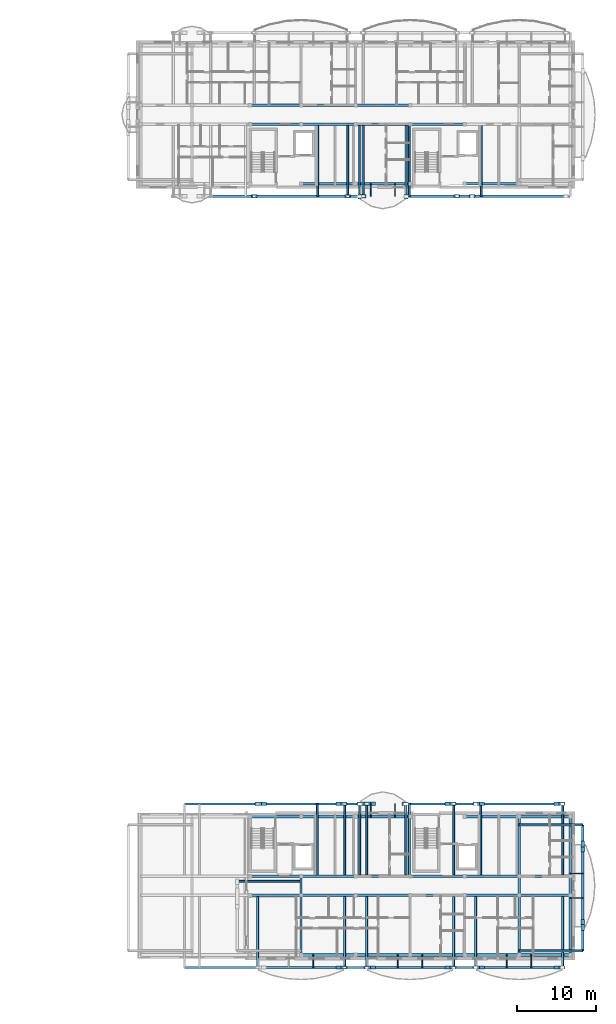
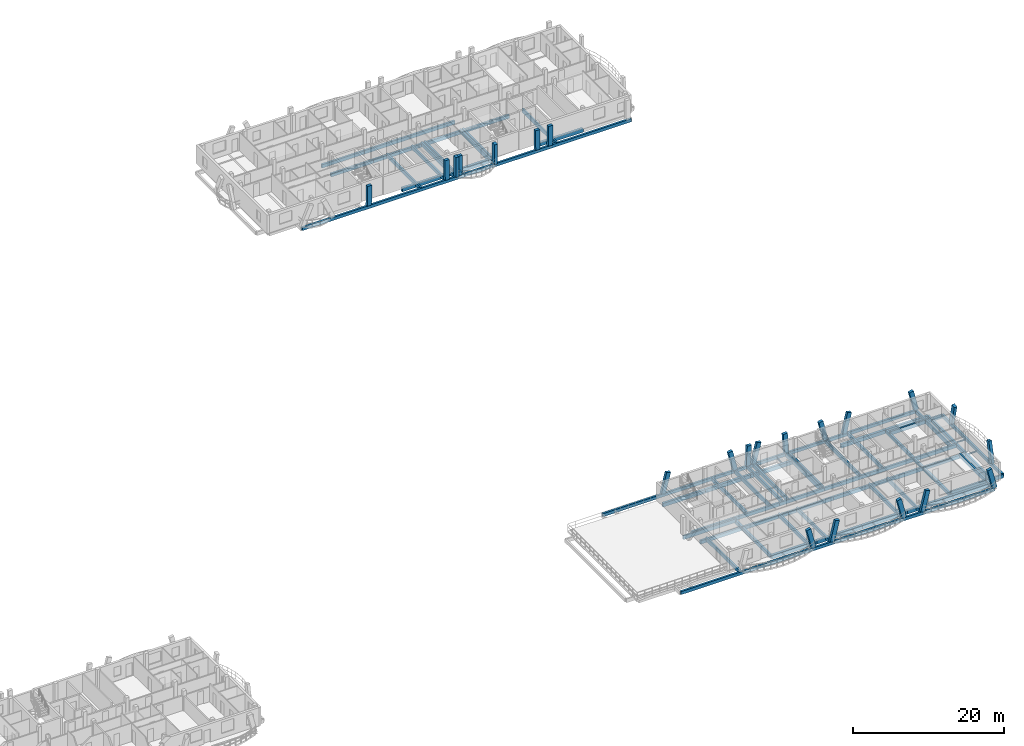
# One storey, part 6 of 48: 80 beams, 22 members.
"""IFC4 building model written with IfcOpenShell, lengths in metres."""

from ifc_helpers import new_model, si_unit, direction, frame, origin, origin_2d, place, context, subcontext, project, spatial, rectangle, i_section, extrude, material, material_profile, profile_set, type_object, element, save


model = new_model("IFC4")

# Units and contexts
model_context = context("Model", 3, precision=1e-05, world=origin(), true_north=direction((0.0, 1.0)))
body_context = subcontext(model_context, "Body", "Model", "MODEL_VIEW")
ifc_project = project(units=[si_unit("LENGTHUNIT", "METRE"), si_unit("AREAUNIT", "SQUARE_METRE"), si_unit("VOLUMEUNIT", "CUBIC_METRE"), si_unit("PLANEANGLEUNIT", "RADIAN"), si_unit("MASSUNIT", "GRAM", prefix="KILO")], contexts=[model_context])

# Site, building, storey
site_placement = place(None, origin())
site = spatial("IfcSite", under=ifc_project, at=site_placement, CompositionType="ELEMENT")
building_placement = place(site_placement, origin())
building = spatial("IfcBuilding", under=site, at=building_placement, Name="Zavelmont Quarter", CompositionType="ELEMENT")
storey_placement = place(building_placement, frame((0.0, 0.0, 17.60009765625)))
storey = spatial("IfcBuildingStorey", under=building, at=storey_placement, Name="L05", CompositionType="ELEMENT", Elevation=17.60009765625)

# Beams
ifc_material_1 = material(Name="Concrete C35/45", Category="concrete")
ifc_material_profile_1 = material_profile(ifc_material_1, rectangle(XDim=0.35009765625, YDim=0.60009765625, at=origin_2d()), Name="RC350X600")
ifc_profile_set_1 = profile_set([ifc_material_profile_1], Name="Concrete C35/45")
beam_type_1 = type_object("IfcBeamType", Name="BM01", PredefinedType="SPANDREL", material=ifc_profile_set_1)
beam_1_placement = place(storey_placement, frame((133.5, 98.0400390625, -0.56005859375), z_axis=(1.0, 0.0, 0.0), x_axis=(0.0, 1.0, 0.0)))
element("IfcBeam", 1, at=beam_1_placement, inside=storey, type_object=beam_type_1, Name="L05 beam BM01 20/P to 21/P", PredefinedType="SPANDREL", context=body_context, shape_type="SweptSolid", body=[
    extrude(rectangle(XDim=0.35009765625, YDim=0.60009765625, at=origin_2d()), origin(), (0.0, 0.0, 1.0), 6.89990234375),
])
for number, where, z_axis, x_axis, name in (
    (2, (140.39990234375, 98.0400390625, -0.56005859375), (1.0, 0.0, 0.0), (0.0, 1.0, 0.0), "L05 beam BM01 21/P to 22/P"),
    (3, (154.199951171875, 98.0400390625, -0.56005859375), (1.0, 0.0, 0.0), (0.0, 1.0, 0.0), "L05 beam BM01 23/P to 24/P"),
):
    element("IfcBeam", number, at=place(storey_placement, frame(where, z_axis=z_axis, x_axis=x_axis)), inside=storey, type_object=beam_type_1, Name=name, PredefinedType="SPANDREL", context=body_context, shape_type="SweptSolid", body=[
        extrude(rectangle(XDim=0.35009765625, YDim=0.60009765625, at=origin_2d()), origin(), (0.0, 0.0, 1.0), 6.900146484375),
    ])
beam_2_placement = place(storey_placement, frame((133.5, 0.43994140625, -0.56005859375), z_axis=(1.0, 0.0, 0.0), x_axis=(0.0, 1.0, 0.0)))
element("IfcBeam", 4, at=beam_2_placement, inside=storey, type_object=beam_type_1, Name="L05 beam BM01 20/A to 21/A", PredefinedType="SPANDREL", context=body_context, shape_type="SweptSolid", body=[
    extrude(rectangle(XDim=0.35009765625, YDim=0.60009765625, at=origin_2d()), origin(), (0.0, 0.0, 1.0), 6.89990234375),
])
beam_3_placement = place(storey_placement, frame((140.39990234375, 0.43994140625, -0.56005859375), z_axis=(1.0, 0.0, 0.0), x_axis=(0.0, 1.0, 0.0)))
element("IfcBeam", 5, at=beam_3_placement, inside=storey, type_object=beam_type_1, Name="L05 beam BM01 21/A to 22/A", PredefinedType="SPANDREL", context=body_context, shape_type="SweptSolid", body=[
    extrude(rectangle(XDim=0.35009765625, YDim=0.60009765625, at=origin_2d()), origin(), (0.0, 0.0, 1.0), 6.900146484375),
])
beam_4_placement = place(storey_placement, frame((147.300048828125, 0.43994140625, -0.56005859375), z_axis=(1.0, 0.0, 0.0), x_axis=(0.0, 1.0, 0.0)))
element("IfcBeam", 6, at=beam_4_placement, inside=storey, type_object=beam_type_1, Name="L05 beam BM01 22/A to 23/A", PredefinedType="SPANDREL", context=body_context, shape_type="SweptSolid", body=[
    extrude(rectangle(XDim=0.35009765625, YDim=0.60009765625, at=origin_2d()), origin(), (0.0, 0.0, 1.0), 6.89990234375),
])
beam_5_placement = place(storey_placement, frame((154.199951171875, 0.43994140625, -0.56005859375), z_axis=(1.0, 0.0, 0.0), x_axis=(0.0, 1.0, 0.0)))
element("IfcBeam", 7, at=beam_5_placement, inside=storey, type_object=beam_type_1, Name="L05 beam BM01 23/A to 24/A", PredefinedType="SPANDREL", context=body_context, shape_type="SweptSolid", body=[
    extrude(rectangle(XDim=0.35009765625, YDim=0.60009765625, at=origin_2d()), origin(), (0.0, 0.0, 1.0), 6.900146484375),
])
for number, where, z_axis, x_axis, name in (
    (8, (161.10009765625, 0.43994140625, -0.56005859375), (1.0, 0.0, 0.0), (0.0, 1.0, 0.0), "L05 beam BM01 24/A to 25/A"),
    (9, (127.0400390625, 17.9599609375, -0.56005859375), (1.0, 0.0, 0.0), (0.0, 1.0, 0.0), "L05 beam BM01 19/D to 20/D"),
):
    element("IfcBeam", number, at=place(storey_placement, frame(where, z_axis=z_axis, x_axis=x_axis)), inside=storey, type_object=beam_type_1, Name=name, PredefinedType="SPANDREL", context=body_context, shape_type="SweptSolid", body=[
        extrude(rectangle(XDim=0.35009765625, YDim=0.60009765625, at=origin_2d()), origin(), (0.0, 0.0, 1.0), 6.4599609375),
    ])
beam_6_placement = place(storey_placement, frame((133.5, 17.9599609375, -0.56005859375), z_axis=(1.0, 0.0, 0.0), x_axis=(0.0, 1.0, 0.0)))
element("IfcBeam", 10, at=beam_6_placement, inside=storey, type_object=beam_type_1, Name="L05 beam BM01 20/D to 21/D", PredefinedType="SPANDREL", context=body_context, shape_type="SweptSolid", body=[
    extrude(rectangle(XDim=0.35009765625, YDim=0.60009765625, at=origin_2d()), origin(), (0.0, 0.0, 1.0), 6.89990234375),
])
for number, where, z_axis, x_axis, name in (
    (11, (140.39990234375, 17.9599609375, -0.56005859375), (1.0, 0.0, 0.0), (0.0, 1.0, 0.0), "L05 beam BM01 21/D to 22/D"),
    (12, (154.199951171875, 17.9599609375, -0.56005859375), (1.0, 0.0, 0.0), (0.0, 1.0, 0.0), "L05 beam BM01 23/D to 24/D"),
):
    element("IfcBeam", number, at=place(storey_placement, frame(where, z_axis=z_axis, x_axis=x_axis)), inside=storey, type_object=beam_type_1, Name=name, PredefinedType="SPANDREL", context=body_context, shape_type="SweptSolid", body=[
        extrude(rectangle(XDim=0.35009765625, YDim=0.60009765625, at=origin_2d()), origin(), (0.0, 0.0, 1.0), 6.900146484375),
    ])
beam_7_placement = place(storey_placement, frame((161.10009765625, 17.9599609375, -0.56005859375), z_axis=(1.0, 0.0, 0.0), x_axis=(0.0, 1.0, 0.0)))
element("IfcBeam", 13, at=beam_7_placement, inside=storey, type_object=beam_type_1, Name="L05 beam BM01 24/D to 25/D", PredefinedType="SPANDREL", context=body_context, shape_type="SweptSolid", body=[
    extrude(rectangle(XDim=0.35009765625, YDim=0.60009765625, at=origin_2d()), origin(), (0.0, 0.0, 1.0), 6.4599609375),
])
ifc_material_profile_2 = material_profile(ifc_material_1, rectangle(XDim=0.300048828125, YDim=0.550048828125, at=origin_2d()), Name="RC300X550")
ifc_profile_set_2 = profile_set([ifc_material_profile_2], Name="Concrete C35/45")
beam_type_2 = type_object("IfcBeamType", Name="BM02", PredefinedType="SPANDREL", material=ifc_profile_set_2)
beam_8_placement = place(storey_placement, frame((127.0400390625, 105.60009765625, -0.53515625), z_axis=(1.0, 0.0, 0.0), x_axis=(0.0, 1.0, 0.0)))
element("IfcBeam", 14, at=beam_8_placement, inside=storey, type_object=beam_type_2, Name="L05 beam BM02 19/Q to 20/Q", PredefinedType="SPANDREL", context=body_context, shape_type="SweptSolid", body=[
    extrude(rectangle(XDim=0.300048828125, YDim=0.550048828125, at=origin_2d()), origin(), (0.0, 0.0, 1.0), 6.4599609375),
])
beam_9_placement = place(storey_placement, frame((133.5, 105.60009765625, -0.53515625), z_axis=(1.0, 0.0, 0.0), x_axis=(0.0, 1.0, 0.0)))
element("IfcBeam", 15, at=beam_9_placement, inside=storey, type_object=beam_type_2, Name="L05 beam BM02 20/Q to 21/Q", PredefinedType="SPANDREL", context=body_context, shape_type="SweptSolid", body=[
    extrude(rectangle(XDim=0.300048828125, YDim=0.550048828125, at=origin_2d()), origin(), (0.0, 0.0, 1.0), 6.89990234375),
])
beam_10_placement = place(storey_placement, frame((140.39990234375, 105.60009765625, -0.53515625), z_axis=(1.0, 0.0, 0.0), x_axis=(0.0, 1.0, 0.0)))
element("IfcBeam", 16, at=beam_10_placement, inside=storey, type_object=beam_type_2, Name="L05 beam BM02 21/Q to 22/Q", PredefinedType="SPANDREL", context=body_context, shape_type="SweptSolid", body=[
    extrude(rectangle(XDim=0.300048828125, YDim=0.550048828125, at=origin_2d()), origin(), (0.0, 0.0, 1.0), 6.900146484375),
])
beam_11_placement = place(storey_placement, frame((147.300048828125, 105.60009765625, -0.53515625), z_axis=(1.0, 0.0, 0.0), x_axis=(0.0, 1.0, 0.0)))
element("IfcBeam", 17, at=beam_11_placement, inside=storey, type_object=beam_type_2, Name="L05 beam BM02 22/Q to 23/Q", PredefinedType="SPANDREL", context=body_context, shape_type="SweptSolid", body=[
    extrude(rectangle(XDim=0.300048828125, YDim=0.550048828125, at=origin_2d()), origin(), (0.0, 0.0, 1.0), 6.89990234375),
])
beam_12_placement = place(storey_placement, frame((127.0400390625, 108.0, -0.53515625), z_axis=(1.0, 0.0, 0.0), x_axis=(0.0, 1.0, 0.0)))
element("IfcBeam", 18, at=beam_12_placement, inside=storey, type_object=beam_type_2, Name="L05 beam BM02 19/R to 20/R", PredefinedType="SPANDREL", context=body_context, shape_type="SweptSolid", body=[
    extrude(rectangle(XDim=0.300048828125, YDim=0.550048828125, at=origin_2d()), origin(), (0.0, 0.0, 1.0), 6.4599609375),
])
beam_13_placement = place(storey_placement, frame((133.5, 108.0, -0.53515625), z_axis=(1.0, 0.0, 0.0), x_axis=(0.0, 1.0, 0.0)))
element("IfcBeam", 19, at=beam_13_placement, inside=storey, type_object=beam_type_2, Name="L05 beam BM02 20/R to 21/R", PredefinedType="SPANDREL", context=body_context, shape_type="SweptSolid", body=[
    extrude(rectangle(XDim=0.300048828125, YDim=0.550048828125, at=origin_2d()), origin(), (0.0, 0.0, 1.0), 6.89990234375),
])
beam_14_placement = place(storey_placement, frame((140.39990234375, 108.0, -0.53515625), z_axis=(1.0, 0.0, 0.0), x_axis=(0.0, 1.0, 0.0)))
element("IfcBeam", 20, at=beam_14_placement, inside=storey, type_object=beam_type_2, Name="L05 beam BM02 21/R to 22/R", PredefinedType="SPANDREL", context=body_context, shape_type="SweptSolid", body=[
    extrude(rectangle(XDim=0.300048828125, YDim=0.550048828125, at=origin_2d()), origin(), (0.0, 0.0, 1.0), 6.900146484375),
])
beam_15_placement = place(storey_placement, frame((127.0400390625, 8.0, -0.53515625), z_axis=(1.0, 0.0, 0.0), x_axis=(0.0, 1.0, 0.0)))
element("IfcBeam", 21, at=beam_15_placement, inside=storey, type_object=beam_type_2, Name="L05 beam BM02 19/B to 20/B", PredefinedType="SPANDREL", context=body_context, shape_type="SweptSolid", body=[
    extrude(rectangle(XDim=0.300048828125, YDim=0.550048828125, at=origin_2d()), origin(), (0.0, 0.0, 1.0), 6.4599609375),
])
beam_16_placement = place(storey_placement, frame((133.5, 8.0, -0.53515625), z_axis=(1.0, 0.0, 0.0), x_axis=(0.0, 1.0, 0.0)))
element("IfcBeam", 22, at=beam_16_placement, inside=storey, type_object=beam_type_2, Name="L05 beam BM02 20/B to 21/B", PredefinedType="SPANDREL", context=body_context, shape_type="SweptSolid", body=[
    extrude(rectangle(XDim=0.300048828125, YDim=0.550048828125, at=origin_2d()), origin(), (0.0, 0.0, 1.0), 6.89990234375),
])
beam_17_placement = place(storey_placement, frame((140.39990234375, 8.0, -0.53515625), z_axis=(1.0, 0.0, 0.0), x_axis=(0.0, 1.0, 0.0)))
element("IfcBeam", 23, at=beam_17_placement, inside=storey, type_object=beam_type_2, Name="L05 beam BM02 21/B to 22/B", PredefinedType="SPANDREL", context=body_context, shape_type="SweptSolid", body=[
    extrude(rectangle(XDim=0.300048828125, YDim=0.550048828125, at=origin_2d()), origin(), (0.0, 0.0, 1.0), 6.900146484375),
])
beam_18_placement = place(storey_placement, frame((147.300048828125, 8.0, -0.53515625), z_axis=(1.0, 0.0, 0.0), x_axis=(0.0, 1.0, 0.0)))
element("IfcBeam", 24, at=beam_18_placement, inside=storey, type_object=beam_type_2, Name="L05 beam BM02 22/B to 23/B", PredefinedType="SPANDREL", context=body_context, shape_type="SweptSolid", body=[
    extrude(rectangle(XDim=0.300048828125, YDim=0.550048828125, at=origin_2d()), origin(), (0.0, 0.0, 1.0), 6.89990234375),
])
beam_19_placement = place(storey_placement, frame((154.199951171875, 8.0, -0.53515625), z_axis=(1.0, 0.0, 0.0), x_axis=(0.0, 1.0, 0.0)))
element("IfcBeam", 25, at=beam_19_placement, inside=storey, type_object=beam_type_2, Name="L05 beam BM02 23/B to 24/B", PredefinedType="SPANDREL", context=body_context, shape_type="SweptSolid", body=[
    extrude(rectangle(XDim=0.300048828125, YDim=0.550048828125, at=origin_2d()), origin(), (0.0, 0.0, 1.0), 6.900146484375),
])
for number, where, z_axis, x_axis, name in (
    (26, (161.10009765625, 8.0, -0.53515625), (1.0, 0.0, 0.0), (0.0, 1.0, 0.0), "L05 beam BM02 24/B to 25/B"),
    (27, (127.0400390625, 10.39990234375, -0.53515625), (1.0, 0.0, 0.0), (0.0, 1.0, 0.0), "L05 beam BM02 19/C to 20/C"),
):
    element("IfcBeam", number, at=place(storey_placement, frame(where, z_axis=z_axis, x_axis=x_axis)), inside=storey, type_object=beam_type_2, Name=name, PredefinedType="SPANDREL", context=body_context, shape_type="SweptSolid", body=[
        extrude(rectangle(XDim=0.300048828125, YDim=0.550048828125, at=origin_2d()), origin(), (0.0, 0.0, 1.0), 6.4599609375),
    ])
beam_20_placement = place(storey_placement, frame((133.5, 10.39990234375, -0.53515625), z_axis=(1.0, 0.0, 0.0), x_axis=(0.0, 1.0, 0.0)))
element("IfcBeam", 28, at=beam_20_placement, inside=storey, type_object=beam_type_2, Name="L05 beam BM02 20/C to 21/C", PredefinedType="SPANDREL", context=body_context, shape_type="SweptSolid", body=[
    extrude(rectangle(XDim=0.300048828125, YDim=0.550048828125, at=origin_2d()), origin(), (0.0, 0.0, 1.0), 6.89990234375),
])
beam_21_placement = place(storey_placement, frame((140.39990234375, 10.39990234375, -0.53515625), z_axis=(1.0, 0.0, 0.0), x_axis=(0.0, 1.0, 0.0)))
element("IfcBeam", 29, at=beam_21_placement, inside=storey, type_object=beam_type_2, Name="L05 beam BM02 21/C to 22/C", PredefinedType="SPANDREL", context=body_context, shape_type="SweptSolid", body=[
    extrude(rectangle(XDim=0.300048828125, YDim=0.550048828125, at=origin_2d()), origin(), (0.0, 0.0, 1.0), 6.900146484375),
])
beam_22_placement = place(storey_placement, frame((147.300048828125, 10.39990234375, -0.53515625), z_axis=(1.0, 0.0, 0.0), x_axis=(0.0, 1.0, 0.0)))
element("IfcBeam", 30, at=beam_22_placement, inside=storey, type_object=beam_type_2, Name="L05 beam BM02 22/C to 23/C", PredefinedType="SPANDREL", context=body_context, shape_type="SweptSolid", body=[
    extrude(rectangle(XDim=0.300048828125, YDim=0.550048828125, at=origin_2d()), origin(), (0.0, 0.0, 1.0), 6.89990234375),
])
beam_23_placement = place(storey_placement, frame((154.199951171875, 10.39990234375, -0.53515625), z_axis=(1.0, 0.0, 0.0), x_axis=(0.0, 1.0, 0.0)))
element("IfcBeam", 31, at=beam_23_placement, inside=storey, type_object=beam_type_2, Name="L05 beam BM02 23/C to 24/C", PredefinedType="SPANDREL", context=body_context, shape_type="SweptSolid", body=[
    extrude(rectangle(XDim=0.300048828125, YDim=0.550048828125, at=origin_2d()), origin(), (0.0, 0.0, 1.0), 6.900146484375),
])
beam_24_placement = place(storey_placement, frame((161.10009765625, 10.39990234375, -0.53515625), z_axis=(1.0, 0.0, 0.0), x_axis=(0.0, 1.0, 0.0)))
element("IfcBeam", 32, at=beam_24_placement, inside=storey, type_object=beam_type_2, Name="L05 beam BM02 24/C to 25/C", PredefinedType="SPANDREL", context=body_context, shape_type="SweptSolid", body=[
    extrude(rectangle(XDim=0.300048828125, YDim=0.550048828125, at=origin_2d()), origin(), (0.0, 0.0, 1.0), 6.4599609375),
])
beam_25_placement = place(storey_placement, frame((133.5, 0.43994140625, -0.53515625), z_axis=(0.0, 1.0, 0.0), x_axis=(-1.0, 0.0, 0.0)))
element("IfcBeam", 33, at=beam_25_placement, inside=storey, type_object=beam_type_2, Name="L05 beam BM02 20/A to 20/B", PredefinedType="SPANDREL", context=body_context, shape_type="SweptSolid", body=[
    extrude(rectangle(XDim=0.300048828125, YDim=0.550048828125, at=origin_2d()), origin(), (0.0, 0.0, 1.0), 7.56005859375),
])
beam_26_placement = place(storey_placement, frame((133.5, 8.0, -0.53515625), z_axis=(0.0, 1.0, 0.0), x_axis=(-1.0, 0.0, 0.0)))
element("IfcBeam", 34, at=beam_26_placement, inside=storey, type_object=beam_type_2, Name="L05 beam BM02 20/B to 20/C", PredefinedType="SPANDREL", context=body_context, shape_type="SweptSolid", body=[
    extrude(rectangle(XDim=0.300048828125, YDim=0.550048828125, at=origin_2d()), origin(), (0.0, 0.0, 1.0), 2.39990234375),
])
beam_27_placement = place(storey_placement, frame((161.10009765625, 0.43994140625, -0.53515625), z_axis=(0.0, 1.0, 0.0), x_axis=(-1.0, 0.0, 0.0)))
element("IfcBeam", 35, at=beam_27_placement, inside=storey, type_object=beam_type_2, Name="L05 beam BM02 24/A to 24/B", PredefinedType="SPANDREL", context=body_context, shape_type="SweptSolid", body=[
    extrude(rectangle(XDim=0.300048828125, YDim=0.550048828125, at=origin_2d()), origin(), (0.0, 0.0, 1.0), 7.56005859375),
])
beam_28_placement = place(storey_placement, frame((161.10009765625, 8.0, -0.53515625), z_axis=(0.0, 1.0, 0.0), x_axis=(-1.0, 0.0, 0.0)))
element("IfcBeam", 36, at=beam_28_placement, inside=storey, type_object=beam_type_2, Name="L05 beam BM02 24/B to 24/C", PredefinedType="SPANDREL", context=body_context, shape_type="SweptSolid", body=[
    extrude(rectangle(XDim=0.300048828125, YDim=0.550048828125, at=origin_2d()), origin(), (0.0, 0.0, 1.0), 2.39990234375),
])
for number, where, z_axis, x_axis, name in (
    (37, (161.10009765625, 10.39990234375, -0.53515625), (0.0, 1.0, 0.0), (-1.0, 0.0, 0.0), "L05 beam BM02 24/C to 24/D"),
    (38, (167.56005859375, 0.43994140625, -0.53515625), (0.0, 1.0, 0.0), (-1.0, 0.0, 0.0), "L05 beam BM02 25/A to 25/B"),
):
    element("IfcBeam", number, at=place(storey_placement, frame(where, z_axis=z_axis, x_axis=x_axis)), inside=storey, type_object=beam_type_2, Name=name, PredefinedType="SPANDREL", context=body_context, shape_type="SweptSolid", body=[
        extrude(rectangle(XDim=0.300048828125, YDim=0.550048828125, at=origin_2d()), origin(), (0.0, 0.0, 1.0), 7.56005859375),
    ])
beam_29_placement = place(storey_placement, frame((167.56005859375, 8.0, -0.53515625), z_axis=(0.0, 1.0, 0.0), x_axis=(-1.0, 0.0, 0.0)))
element("IfcBeam", 39, at=beam_29_placement, inside=storey, type_object=beam_type_2, Name="L05 beam BM02 25/B to 25/C", PredefinedType="SPANDREL", context=body_context, shape_type="SweptSolid", body=[
    extrude(rectangle(XDim=0.300048828125, YDim=0.550048828125, at=origin_2d()), origin(), (0.0, 0.0, 1.0), 2.39990234375),
])
beam_30_placement = place(storey_placement, frame((167.56005859375, 10.39990234375, -0.53515625), z_axis=(0.0, 1.0, 0.0), x_axis=(-1.0, 0.0, 0.0)))
element("IfcBeam", 40, at=beam_30_placement, inside=storey, type_object=beam_type_2, Name="L05 beam BM02 25/C to 25/D", PredefinedType="SPANDREL", context=body_context, shape_type="SweptSolid", body=[
    extrude(rectangle(XDim=0.300048828125, YDim=0.550048828125, at=origin_2d()), origin(), (0.0, 0.0, 1.0), 7.56005859375),
])
ifc_material_profile_3 = material_profile(ifc_material_1, rectangle(XDim=0.300048828125, YDim=0.5, at=origin_2d()), Name="RC300X500")
ifc_profile_set_3 = profile_set([ifc_material_profile_3], Name="Concrete C35/45")
beam_type_3 = type_object("IfcBeamType", Name="BM03", PredefinedType="BEAM", material=ifc_profile_set_3)
beam_31_placement = place(storey_placement, frame((117.341064453125, 96.449951171875, -0.25), z_axis=(1.0, 0.0, 0.0), x_axis=(0.0, 1.0, 0.0)))
element("IfcBeam", 41, at=beam_31_placement, inside=storey, type_object=beam_type_3, Name="L05 beam BM03 18/P to 25/P", PredefinedType="BEAM", context=body_context, shape_type="SweptSolid", body=[
    extrude(rectangle(XDim=0.300048828125, YDim=0.5, at=origin_2d()), origin(), (0.0, 0.0, 1.0), 50.218994140625),
])
for number, where, z_axis, x_axis, name in (
    (42, (118.75, -1.14990234375, -0.25), (1.0, 0.0, 0.0), (0.0, 1.0, 0.0), "L05 beam BM03 18/A to 25/A"),
    (43, (118.75, 19.550048828125, -0.25), (1.0, 0.0, 0.0), (0.0, 1.0, 0.0), "L05 beam BM03 18/D to 25/D"),
):
    element("IfcBeam", number, at=place(storey_placement, frame(where, z_axis=z_axis, x_axis=x_axis)), inside=storey, type_object=beam_type_3, Name=name, PredefinedType="BEAM", context=body_context, shape_type="SweptSolid", body=[
        extrude(rectangle(XDim=0.300048828125, YDim=0.5, at=origin_2d()), origin(), (0.0, 0.0, 1.0), 47.85693359375),
    ])
beam_32_placement = place(storey_placement, frame((169.14990234375, 0.949951171875, -0.25), z_axis=(0.0, 1.0, 0.0), x_axis=(-1.0, 0.0, 0.0)))
element("IfcBeam", 44, at=beam_32_placement, inside=storey, type_object=beam_type_3, Name="L05 beam BM03 25/A to 25/D", PredefinedType="BEAM", context=body_context, shape_type="SweptSolid", body=[
    extrude(rectangle(XDim=0.300048828125, YDim=0.5, at=origin_2d()), origin(), (0.0, 0.0, 1.0), 15.949951171875),
])
ifc_material_2 = material(Name="Steel S355", Category="steel")
ifc_material_profile_4 = material_profile(ifc_material_2, i_section(OverallWidth=0.110107421875, OverallDepth=0.219970703125, WebThickness=0.005859375, FlangeThickness=0.00927734375, at=origin_2d()), Name="IPE 220")
ifc_profile_set_4 = profile_set([ifc_material_profile_4], Name="Steel S355")
beam_type_4 = type_object("IfcBeamType", Name="BM15", PredefinedType="JOIST", material=ifc_profile_set_4)
for number, where, z_axis, x_axis, name in (
    (45, (142.300048828125, 98.0400390625, -0.3720703125), (0.0, -1.0, 0.0), (1.0, 0.0, 0.0), "L05 beam BM15 21/P to 21/P"),
    (46, (145.39990234375, 98.0400390625, -0.3720703125), (0.0, -1.0, 0.0), (1.0, 0.0, 0.0), "L05 beam BM15 22/P to 22/P"),
):
    element("IfcBeam", number, at=place(storey_placement, frame(where, z_axis=z_axis, x_axis=x_axis)), inside=storey, type_object=beam_type_4, Name=name, PredefinedType="JOIST", context=body_context, shape_type="SweptSolid", body=[
        extrude(i_section(OverallWidth=0.110107421875, OverallDepth=0.219970703125, WebThickness=0.005859375, FlangeThickness=0.00927734375, at=origin_2d()), origin(), (0.0, 0.0, 1.0), 1.590087890625),
    ])
for number, where, z_axis, x_axis, name in (
    (47, (135.050048828125, 0.43994140625, -0.3720703125), (0.0, -1.0, 0.0), (1.0, 0.0, 0.0), "L05 beam BM15 20/A to 20/A"),
    (48, (145.75, 0.43994140625, -0.3720703125), (0.0, -1.0, 0.0), (1.0, 0.0, 0.0), "L05 beam BM15 22/A to 22/A"),
    (49, (148.85009765625, 0.43994140625, -0.3720703125), (0.0, -1.0, 0.0), (1.0, 0.0, 0.0), "L05 beam BM15 22/A to 22/A"),
    (50, (159.550048828125, 0.43994140625, -0.3720703125), (0.0, -1.0, 0.0), (1.0, 0.0, 0.0), "L05 beam BM15 24/A to 24/A"),
    (51, (162.64990234375, 0.43994140625, -0.3720703125), (0.0, -1.0, 0.0), (1.0, 0.0, 0.0), "L05 beam BM15 24/A to 24/A"),
    (52, (167.56005859375, 7.64990234375, -0.3720703125), (1.0, 0.0, 0.0), (0.0, 1.0, 0.0), "L05 beam BM15 25/B to 25/B"),
    (53, (167.56005859375, 10.75, -0.3720703125), (1.0, 0.0, 0.0), (0.0, 1.0, 0.0), "L05 beam BM15 25/C to 25/C"),
):
    element("IfcBeam", number, at=place(storey_placement, frame(where, z_axis=z_axis, x_axis=x_axis)), inside=storey, type_object=beam_type_4, Name=name, PredefinedType="JOIST", context=body_context, shape_type="SweptSolid", body=[
        extrude(i_section(OverallWidth=0.110107421875, OverallDepth=0.219970703125, WebThickness=0.005859375, FlangeThickness=0.00927734375, at=origin_2d()), origin(), (0.0, 0.0, 1.0), 1.58984375),
    ])
for number, where, z_axis, x_axis, name in (
    (54, (142.300048828125, 17.9599609375, -0.3720703125), (0.0, 1.0, 0.0), (-1.0, 0.0, 0.0), "L05 beam BM15 21/D to 21/D"),
    (55, (145.39990234375, 17.9599609375, -0.3720703125), (0.0, 1.0, 0.0), (-1.0, 0.0, 0.0), "L05 beam BM15 22/D to 22/D"),
):
    element("IfcBeam", number, at=place(storey_placement, frame(where, z_axis=z_axis, x_axis=x_axis)), inside=storey, type_object=beam_type_4, Name=name, PredefinedType="JOIST", context=body_context, shape_type="SweptSolid", body=[
        extrude(i_section(OverallWidth=0.110107421875, OverallDepth=0.219970703125, WebThickness=0.005859375, FlangeThickness=0.00927734375, at=origin_2d()), origin(), (0.0, 0.0, 1.0), 1.590087890625),
    ])
ifc_material_3 = material(Name="Concrete C40/50", Category="concrete")
ifc_material_profile_5 = material_profile(ifc_material_3, rectangle(XDim=0.25, YDim=0.60009765625, at=origin_2d()), Name="RC250X600")
ifc_profile_set_5 = profile_set([ifc_material_profile_5], Name="Concrete C40/50")
beam_type_5 = type_object("IfcBeamType", Name="BM18", PredefinedType="BEAM", material=ifc_profile_set_5)
for number, where, z_axis, x_axis, name in (
    (56, (135.625, 105.60009765625, -0.300048828125), (0.0, -1.0, 0.0), (1.0, 0.0, 0.0), "L05 beam BM18 20/Q to 20/P"),
    (57, (139.441162109375, 105.60009765625, -0.300048828125), (0.0, -1.0, 0.0), (1.0, 0.0, 0.0), "L05 beam BM18 21/Q to 21/P"),
    (58, (141.35888671875, 105.60009765625, -0.300048828125), (0.0, -1.0, 0.0), (1.0, 0.0, 0.0), "L05 beam BM18 21/Q to 21/P"),
    (59, (147.199951171875, 105.60009765625, -0.300048828125), (0.0, -1.0, 0.0), (1.0, 0.0, 0.0), "L05 beam BM18 22/Q to 22/P"),
    (60, (156.324951171875, 105.60009765625, -0.300048828125), (0.0, -1.0, 0.0), (1.0, 0.0, 0.0), "L05 beam BM18 23/Q to 23/P"),
    (61, (140.89990234375, 105.60009765625, -0.300048828125), (0.0, -1.0, 0.0), (1.0, 0.0, 0.0), "L05 beam BM18 21/Q to 21/P"),
    (62, (146.800048828125, 105.60009765625, -0.300048828125), (0.0, -1.0, 0.0), (1.0, 0.0, 0.0), "L05 beam BM18 22/Q to 22/P"),
):
    element("IfcBeam", number, at=place(storey_placement, frame(where, z_axis=z_axis, x_axis=x_axis)), inside=storey, type_object=beam_type_5, Name=name, PredefinedType="BEAM", context=body_context, shape_type="SweptSolid", body=[
        extrude(rectangle(XDim=0.25, YDim=0.60009765625, at=origin_2d()), origin(), (0.0, 0.0, 1.0), 9.150146484375),
    ])
for number, where, z_axis, x_axis, name in (
    (63, (127.992919921875, 8.0, -0.300048828125), (0.0, -1.0, 0.0), (1.0, 0.0, 0.0), "L05 beam BM18 19/B to 19/A"),
    (64, (139.007080078125, 8.0, -0.300048828125), (0.0, -1.0, 0.0), (1.0, 0.0, 0.0), "L05 beam BM18 21/B to 21/A"),
    (65, (141.79296875, 8.0, -0.300048828125), (0.0, -1.0, 0.0), (1.0, 0.0, 0.0), "L05 beam BM18 21/B to 21/A"),
    (66, (152.806884765625, 8.0, -0.300048828125), (0.0, -1.0, 0.0), (1.0, 0.0, 0.0), "L05 beam BM18 23/B to 23/A"),
    (67, (155.593017578125, 8.0, -0.300048828125), (0.0, -1.0, 0.0), (1.0, 0.0, 0.0), "L05 beam BM18 23/B to 23/A"),
    (68, (166.60693359375, 8.0, -0.300048828125), (0.0, -1.0, 0.0), (1.0, 0.0, 0.0), "L05 beam BM18 25/B to 25/A"),
):
    element("IfcBeam", number, at=place(storey_placement, frame(where, z_axis=z_axis, x_axis=x_axis)), inside=storey, type_object=beam_type_5, Name=name, PredefinedType="BEAM", context=body_context, shape_type="SweptSolid", body=[
        extrude(rectangle(XDim=0.25, YDim=0.60009765625, at=origin_2d()), origin(), (0.0, 0.0, 1.0), 9.14990234375),
    ])
for number, where, z_axis, x_axis, name in (
    (69, (135.52490234375, 10.39990234375, -0.300048828125), (0.0, 1.0, 0.0), (-1.0, 0.0, 0.0), "L05 beam BM18 20/C to 20/D"),
    (70, (139.007080078125, 10.39990234375, -0.300048828125), (0.0, 1.0, 0.0), (-1.0, 0.0, 0.0), "L05 beam BM18 21/C to 21/D"),
    (71, (141.79296875, 10.39990234375, -0.300048828125), (0.0, 1.0, 0.0), (-1.0, 0.0, 0.0), "L05 beam BM18 21/C to 21/D"),
    (72, (152.806884765625, 10.39990234375, -0.300048828125), (0.0, 1.0, 0.0), (-1.0, 0.0, 0.0), "L05 beam BM18 23/C to 23/D"),
    (73, (147.199951171875, 10.39990234375, -0.300048828125), (0.0, 1.0, 0.0), (-1.0, 0.0, 0.0), "L05 beam BM18 22/C to 22/D"),
    (74, (156.22509765625, 10.39990234375, -0.300048828125), (0.0, 1.0, 0.0), (-1.0, 0.0, 0.0), "L05 beam BM18 23/C to 23/D"),
    (75, (166.60693359375, 10.39990234375, -0.300048828125), (0.0, 1.0, 0.0), (-1.0, 0.0, 0.0), "L05 beam BM18 25/C to 25/D"),
    (76, (140.92041015625, 10.39990234375, -0.300048828125), (0.0, 1.0, 0.0), (-1.0, 0.0, 0.0), "L05 beam BM18 21/C to 21/D"),
    (77, (146.77978515625, 10.39990234375, -0.300048828125), (0.0, 1.0, 0.0), (-1.0, 0.0, 0.0), "L05 beam BM18 22/C to 22/D"),
):
    element("IfcBeam", number, at=place(storey_placement, frame(where, z_axis=z_axis, x_axis=x_axis)), inside=storey, type_object=beam_type_5, Name=name, PredefinedType="BEAM", context=body_context, shape_type="SweptSolid", body=[
        extrude(rectangle(XDim=0.25, YDim=0.60009765625, at=origin_2d()), origin(), (0.0, 0.0, 1.0), 9.150146484375),
    ])
for number, where, z_axis, x_axis, name in (
    (78, (161.10009765625, 0.949951171875, -0.300048828125), (1.0, 0.0, 0.0), (0.0, 1.0, 0.0), "L05 beam BM18 24/A to 25/A"),
    (79, (161.10009765625, 16.89990234375, -0.300048828125), (1.0, 0.0, 0.0), (0.0, 1.0, 0.0), "L05 beam BM18 24/D to 25/D"),
):
    element("IfcBeam", number, at=place(storey_placement, frame(where, z_axis=z_axis, x_axis=x_axis)), inside=storey, type_object=beam_type_5, Name=name, PredefinedType="BEAM", context=body_context, shape_type="SweptSolid", body=[
        extrude(rectangle(XDim=0.25, YDim=0.60009765625, at=origin_2d()), origin(), (0.0, 0.0, 1.0), 8.0498046875),
    ])
beam_33_placement = place(storey_placement, frame((133.5, 9.75, -0.300048828125), z_axis=(-1.0, 0.0, 0.0), x_axis=(0.0, -1.0, 0.0)))
element("IfcBeam", 80, at=beam_33_placement, inside=storey, type_object=beam_type_5, Name="L05 beam BM18 20/C to 19/C", PredefinedType="BEAM", context=body_context, shape_type="SweptSolid", body=[
    extrude(rectangle(XDim=0.25, YDim=0.60009765625, at=origin_2d()), origin(), (0.0, 0.0, 1.0), 8.050048828125),
])

# Members
ifc_material_4 = material(Name="White architectural precast concrete C40/50", Category="concrete")
ifc_material_profile_6 = material_profile(ifc_material_4, rectangle(XDim=0.43994140625, YDim=0.659912109375, at=origin_2d()), Name="PCR320X480")
ifc_profile_set_6 = profile_set([ifc_material_profile_6], Name="White architectural precast concrete C40/50")
member_type = type_object("IfcMemberType", Name="VR01M", PredefinedType="CHORD", material=ifc_profile_set_6)
for number, where, z_axis, x_axis, name in (
    (81, (127.558837890625, 96.449951171875, 0.0), (0.014113189497, 0.0, 0.999900403981), (0.0, 1.0, 0.0), "L05 member VR01M 19/P to 19/P"),
    (82, (139.441162109375, 96.449951171875, 0.0), (-0.014113189497, 0.0, 0.999900403981), (0.0, -1.0, 0.0), "L05 member VR01M 21/P to 21/P"),
    (83, (141.35888671875, 96.449951171875, 0.0), (0.014036917058, 0.0, 0.999901477626), (0.0, 1.0, 0.0), "L05 member VR01M 21/P to 21/P"),
    (84, (153.2412109375, 96.449951171875, 0.0), (-0.014113189497, 0.0, 0.999900403981), (0.0, -1.0, 0.0), "L05 member VR01M 23/P to 23/P"),
    (85, (155.15869140625, 96.449951171875, 0.0), (0.014113189497, 0.0, 0.999900403981), (0.0, 1.0, 0.0), "L05 member VR01M 23/P to 23/P"),
):
    element("IfcMember", number, at=place(storey_placement, frame(where, z_axis=z_axis, x_axis=x_axis)), inside=storey, type_object=member_type, Name=name, PredefinedType="CHORD", context=body_context, shape_type="SweptSolid", body=[
        extrude(rectangle(XDim=0.43994140625, YDim=0.659912109375, at=origin_2d()), origin(), (0.0, 0.0, 1.0), 3.2001953125),
    ])
for number, where, z_axis, x_axis, name in (
    (86, (140.89990234375, 96.449951171875, 0.0), (0.0, 0.0, 1.0), (1.0, 0.0, 0.0), "L05 member VR01M 21/P to 21/P"),
    (87, (146.800048828125, 96.449951171875, 0.0), (0.0, 0.0, 1.0), (1.0, 0.0, 0.0), "L05 member VR01M 22/P to 22/P"),
):
    element("IfcMember", number, at=place(storey_placement, frame(where, z_axis=z_axis, x_axis=x_axis)), inside=storey, type_object=member_type, Name=name, PredefinedType="CHORD", context=body_context, shape_type="SweptSolid", body=[
        extrude(rectangle(XDim=0.43994140625, YDim=0.659912109375, at=origin_2d()), origin(), (0.0, 0.0, 1.0), 3.199951171875),
    ])
for number, where, z_axis, x_axis, name in (
    (88, (139.007080078125, -1.14990234375, 0.0), (-0.240391712441, 0.0, 0.970675962713), (0.0, -1.0, 0.0), "L05 member VR01M 21/A to 21/A"),
    (89, (141.79296875, -1.14990234375, 0.0), (0.240321932416, 0.0, 0.970693241349), (0.0, 1.0, 0.0), "L05 member VR01M 21/A to 21/A"),
    (90, (152.806884765625, -1.14990234375, 0.0), (-0.240321932416, 0.0, 0.970693241349), (0.0, -1.0, 0.0), "L05 member VR01M 23/A to 23/A"),
    (91, (155.593017578125, -1.14990234375, 0.0), (0.240321932416, 0.0, 0.970693241349), (0.0, 1.0, 0.0), "L05 member VR01M 23/A to 23/A"),
    (92, (166.60693359375, -1.14990234375, 0.0), (-0.240321932416, 0.0, 0.970693241349), (0.0, -1.0, 0.0), "L05 member VR01M 25/A to 25/A"),
    (93, (127.992919921875, 19.550048828125, 0.0), (0.240391712441, 0.0, 0.970675962713), (0.0, 1.0, 0.0), "L05 member VR01M 19/D to 19/D"),
    (94, (139.007080078125, 19.550048828125, 0.0), (-0.240391712441, 0.0, 0.970675962713), (0.0, -1.0, 0.0), "L05 member VR01M 21/D to 21/D"),
    (95, (141.79296875, 19.550048828125, 0.0), (0.240321932416, 0.0, 0.970693241349), (0.0, 1.0, 0.0), "L05 member VR01M 21/D to 21/D"),
    (96, (152.806884765625, 19.550048828125, 0.0), (-0.240321932416, 0.0, 0.970693241349), (0.0, -1.0, 0.0), "L05 member VR01M 23/D to 23/D"),
    (97, (155.593017578125, 19.550048828125, 0.0), (0.240321932416, 0.0, 0.970693241349), (0.0, 1.0, 0.0), "L05 member VR01M 23/D to 23/D"),
    (98, (166.60693359375, 19.550048828125, 0.0), (-0.240321932416, 0.0, 0.970693241349), (0.0, -1.0, 0.0), "L05 member VR01M 25/D to 25/D"),
):
    element("IfcMember", number, at=place(storey_placement, frame(where, z_axis=z_axis, x_axis=x_axis)), inside=storey, type_object=member_type, Name=name, PredefinedType="CHORD", context=body_context, shape_type="SweptSolid", body=[
        extrude(rectangle(XDim=0.43994140625, YDim=0.659912109375, at=origin_2d()), origin(), (0.0, 0.0, 1.0), 3.296630859375),
    ])
for number, where, z_axis, x_axis, name in (
    (99, (140.92041015625, 19.550048828125, 0.0), (0.059329195812, 0.0, 0.998238471771), (0.0, 1.0, 0.0), "L05 member VR01M 21/D to 21/D"),
    (100, (146.77978515625, 19.550048828125, 0.0), (-0.059405087929, 0.0, 0.998233958312), (0.0, -1.0, 0.0), "L05 member VR01M 22/D to 22/D"),
):
    element("IfcMember", number, at=place(storey_placement, frame(where, z_axis=z_axis, x_axis=x_axis)), inside=storey, type_object=member_type, Name=name, PredefinedType="CHORD", context=body_context, shape_type="SweptSolid", body=[
        extrude(rectangle(XDim=0.43994140625, YDim=0.659912109375, at=origin_2d()), origin(), (0.0, 0.0, 1.0), 3.20556640625),
    ])
for number, where, z_axis, x_axis, name in (
    (101, (169.14990234375, 3.87841796875, 0.0), (0.0, 0.228194623451, 0.973615536969), (-1.0, 0.0, 0.0), "L05 member VR01M 25/A to 25/B"),
    (102, (169.14990234375, 14.521728515625, 0.0), (0.0, -0.228265035688, 0.973599031163), (1.0, 0.0, 0.0), "L05 member VR01M 25/D to 25/C"),
):
    element("IfcMember", number, at=place(storey_placement, frame(where, z_axis=z_axis, x_axis=x_axis)), inside=storey, type_object=member_type, Name=name, PredefinedType="CHORD", context=body_context, shape_type="SweptSolid", body=[
        extrude(rectangle(XDim=0.43994140625, YDim=0.659912109375, at=origin_2d()), origin(), (0.0, 0.0, 1.0), 3.28662109375),
    ])

save(model, "model.ifc")
